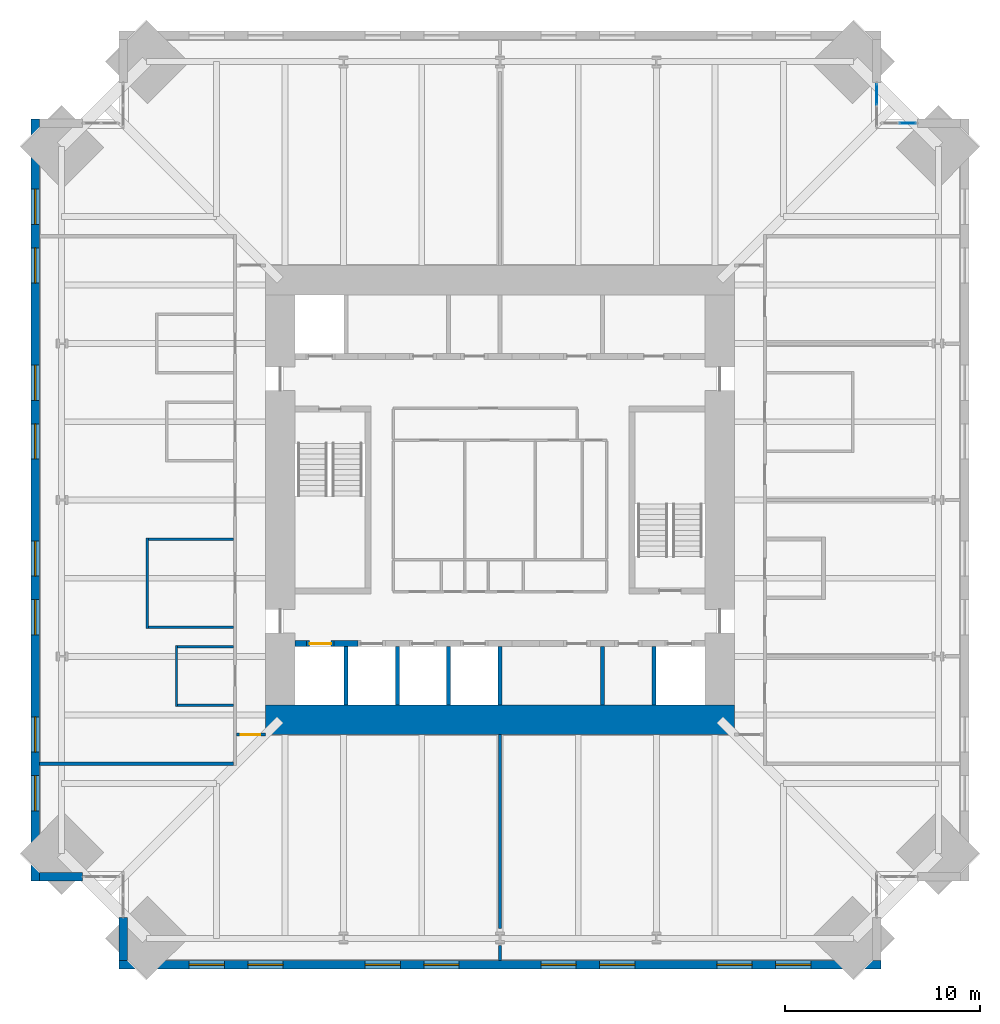
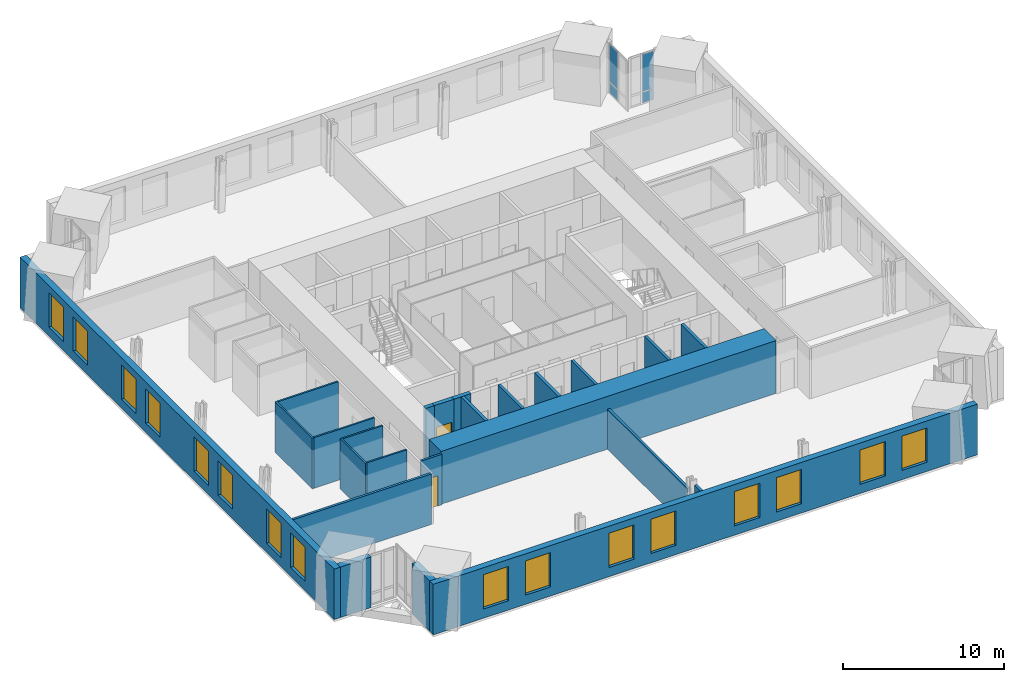
# One storey, part 10 of 15: 24 walls, 16 windows, 4 plates, 2 doors, 18 openings, 2 elements without a shape of their own.
"""IFC4 building model written with IfcOpenShell, lengths in metres."""

from ifc_helpers import new_model, si_unit, direction, frame, frame_2d, origin, origin_2d, place, context, subcontext, project, spatial, rectangle, extrude, material, layer, layer_set, type_object, element, fill, aggregate, save


model = new_model("IFC4")

# Units and contexts
model_context = context("Model", 3, precision=1e-05, world=origin(), true_north=direction((0.0, 1.0)))
body_context = subcontext(model_context, "Body", "Model", "MODEL_VIEW")
ifc_project = project(units=[si_unit("LENGTHUNIT", "METRE"), si_unit("AREAUNIT", "SQUARE_METRE"), si_unit("VOLUMEUNIT", "CUBIC_METRE"), si_unit("PLANEANGLEUNIT", "RADIAN"), si_unit("MASSUNIT", "GRAM", prefix="KILO")], contexts=[model_context])

# Site, building, storey
site_placement = place(None, origin())
site = spatial("IfcSite", under=ifc_project, at=site_placement, CompositionType="ELEMENT")
building_placement = place(site_placement, origin())
building = spatial("IfcBuilding", under=site, at=building_placement, Name="Peilmerk Tower", CompositionType="ELEMENT")
storey_placement = place(building_placement, frame((0.0, 0.0, 209.800048828125)))
storey = spatial("IfcBuildingStorey", under=building, at=storey_placement, Name="L45", CompositionType="ELEMENT", Elevation=209.800048828125)

# Curtain wall, plates
ifc_material_1 = material(Name="Aluminium stick curtain wall", Category="aluminium")
curtain_wall_type = type_object("IfcCurtainWallType", Name="CW4 stick curtain wall, 2250 module", PredefinedType="NOTDEFINED", material=ifc_material_1)
curtain_wall_1_placement = place(storey_placement, origin())
curtain_wall_1 = element("IfcCurtainWall", 1, at=curtain_wall_1_placement, inside=storey, type_object=curtain_wall_type, Name="Curtain wall CW4 NEA L45", PredefinedType="NOTDEFINED")
ifc_material_2 = material(Name="Clear insulated glazing unit", Category="glass")
ifc_layer_1 = layer(ifc_material_2, 0.028076171875)
ifc_layer_set_1 = layer_set([ifc_layer_1], Name="Clear insulated glazing unit")
plate_type = type_object("IfcPlateType", Name="CW4-P 28 glazed panel", PredefinedType="CURTAIN_PANEL", material=ifc_layer_set_1)
plate_1_placement = place(storey_placement, frame((19.27490234375, 20.750244140625, 0.06494140625), z_axis=(0.0, 0.0, 1.0), x_axis=(0.0, 1.0, 0.0)))
plate_1 = element("IfcPlate", 2, at=plate_1_placement, type_object=plate_type, Name="CW4 panel 2.1", PredefinedType="CURTAIN_PANEL", context=body_context, shape_type="SweptSolid", body=[
    extrude(rectangle(XDim=1.046875, YDim=0.028076171875, at=origin_2d()), origin(), (0.0, 0.0, 1.0), 0.802490234375),
])
plate_2_placement = place(storey_placement, frame((19.27490234375, 20.750244140625, 0.932373046875), z_axis=(0.0, 0.0, 1.0), x_axis=(0.0, 1.0, 0.0)))
plate_2 = element("IfcPlate", 3, at=plate_2_placement, type_object=plate_type, Name="CW4 panel 2.2", PredefinedType="CURTAIN_PANEL", context=body_context, shape_type="SweptSolid", body=[
    extrude(rectangle(XDim=1.046875, YDim=0.028076171875, at=origin_2d()), origin(), (0.0, 0.0, 1.0), 2.83251953125),
])
aggregate(curtain_wall_1, [plate_1, plate_2])

curtain_wall_2_placement = place(storey_placement, origin())
curtain_wall_2 = element("IfcCurtainWall", 4, at=curtain_wall_2_placement, inside=storey, type_object=curtain_wall_type, Name="Curtain wall CW4 NEB L45", PredefinedType="NOTDEFINED")
plate_3_placement = place(storey_placement, frame((20.86279296875, 19.27490234375, 0.06494140625), z_axis=(0.0, 0.0, 1.0), x_axis=(1.0, 0.0, 0.0)))
plate_3 = element("IfcPlate", 5, at=plate_3_placement, type_object=plate_type, Name="CW4 panel 2.1", PredefinedType="CURTAIN_PANEL", context=body_context, shape_type="SweptSolid", body=[
    extrude(rectangle(XDim=0.82177734375, YDim=0.028076171875, at=origin_2d()), origin(), (0.0, 0.0, 1.0), 0.802490234375),
])
plate_4_placement = place(storey_placement, frame((20.86279296875, 19.27490234375, 0.932373046875), z_axis=(0.0, 0.0, 1.0), x_axis=(1.0, 0.0, 0.0)))
plate_4 = element("IfcPlate", 6, at=plate_4_placement, type_object=plate_type, Name="CW4 panel 2.2", PredefinedType="CURTAIN_PANEL", context=body_context, shape_type="SweptSolid", body=[
    extrude(rectangle(XDim=0.82177734375, YDim=0.028076171875, at=origin_2d()), origin(), (0.0, 0.0, 1.0), 2.83251953125),
])
aggregate(curtain_wall_2, [plate_3, plate_4])

# Wall, openings, windows
ifc_material_3 = material(Name="Precast concrete C45/55, board-marked finish", Category="concrete")
ifc_layer_2 = layer(ifc_material_3, 0.449951171875)
ifc_layer_set_2 = layer_set([ifc_layer_2], Name="Precast concrete C45/55, board-marked finish")
wall_type_1 = type_object("IfcWallType", Name="EW1 450 precast concrete facade wall, board-marked", PredefinedType="SOLIDWALL", material=ifc_layer_set_2)
wall_1_placement = place(storey_placement, frame((-19.5, -23.77490234375, 0.0), z_axis=(0.0, 0.0, 1.0), x_axis=(1.0, 0.0, 0.0)))
wall_1 = element("IfcWall", 7, at=wall_1_placement, inside=storey, type_object=wall_type_1, Name="Facade wall S L45", PredefinedType="SOLIDWALL", context=body_context, shape_type="SweptSolid", body=[
    extrude(rectangle(XDim=39.0, YDim=0.449951171875, at=frame_2d((19.5, 0.0))), origin(), (0.0, 0.0, 1.0), 3.829833984375),
])
opening_1_placement = place(wall_1_placement, frame((3.60009765625, 0.0, 0.699951171875)))
opening_1 = element("IfcOpeningElement", 8, at=opening_1_placement, cuts=wall_1, Name="Opening W1", PredefinedType="OPENING", context=body_context, shape_type="SweptSolid", body=[
    extrude(rectangle(XDim=1.800048828125, YDim=2.60009765625, at=frame_2d((0.89990234375, 1.300048828125))), frame((0.0, 0.23486328125, 0.0), z_axis=(0.0, -1.0, 0.0), x_axis=(1.0, 0.0, 0.0)), (0.0, 0.0, 1.0), 0.469970703125),
])
opening_2_placement = place(wall_1_placement, frame((6.60009765625, 0.0, 0.699951171875)))
opening_2 = element("IfcOpeningElement", 9, at=opening_2_placement, cuts=wall_1, Name="Opening W1", PredefinedType="OPENING", context=body_context, shape_type="SweptSolid", body=[
    extrude(rectangle(XDim=1.800048828125, YDim=2.60009765625, at=frame_2d((0.89990234375, 1.300048828125))), frame((0.0, 0.23486328125, 0.0), z_axis=(0.0, -1.0, 0.0), x_axis=(1.0, 0.0, 0.0)), (0.0, 0.0, 1.0), 0.469970703125),
])
opening_3_placement = place(wall_1_placement, frame((12.60009765625, 0.0, 0.699951171875)))
opening_3 = element("IfcOpeningElement", 10, at=opening_3_placement, cuts=wall_1, Name="Opening W1", PredefinedType="OPENING", context=body_context, shape_type="SweptSolid", body=[
    extrude(rectangle(XDim=1.800048828125, YDim=2.60009765625, at=frame_2d((0.89990234375, 1.300048828125))), frame((0.0, 0.23486328125, 0.0), z_axis=(0.0, -1.0, 0.0), x_axis=(1.0, 0.0, 0.0)), (0.0, 0.0, 1.0), 0.469970703125),
])
opening_4_placement = place(wall_1_placement, frame((15.60009765625, 0.0, 0.699951171875)))
opening_4 = element("IfcOpeningElement", 11, at=opening_4_placement, cuts=wall_1, Name="Opening W1", PredefinedType="OPENING", context=body_context, shape_type="SweptSolid", body=[
    extrude(rectangle(XDim=1.800048828125, YDim=2.60009765625, at=frame_2d((0.89990234375, 1.300048828125))), frame((0.0, 0.23486328125, 0.0), z_axis=(0.0, -1.0, 0.0), x_axis=(1.0, 0.0, 0.0)), (0.0, 0.0, 1.0), 0.469970703125),
])
opening_5_placement = place(wall_1_placement, frame((21.60009765625, 0.0, 0.699951171875)))
opening_5 = element("IfcOpeningElement", 12, at=opening_5_placement, cuts=wall_1, Name="Opening W1", PredefinedType="OPENING", context=body_context, shape_type="SweptSolid", body=[
    extrude(rectangle(XDim=1.800048828125, YDim=2.60009765625, at=frame_2d((0.89990234375, 1.300048828125))), frame((0.0, 0.23486328125, 0.0), z_axis=(0.0, -1.0, 0.0), x_axis=(1.0, 0.0, 0.0)), (0.0, 0.0, 1.0), 0.469970703125),
])
opening_6_placement = place(wall_1_placement, frame((24.60009765625, 0.0, 0.699951171875)))
opening_6 = element("IfcOpeningElement", 13, at=opening_6_placement, cuts=wall_1, Name="Opening W1", PredefinedType="OPENING", context=body_context, shape_type="SweptSolid", body=[
    extrude(rectangle(XDim=1.800048828125, YDim=2.60009765625, at=frame_2d((0.89990234375, 1.300048828125))), frame((0.0, 0.23486328125, 0.0), z_axis=(0.0, -1.0, 0.0), x_axis=(1.0, 0.0, 0.0)), (0.0, 0.0, 1.0), 0.469970703125),
])
opening_7_placement = place(wall_1_placement, frame((30.60009765625, 0.0, 0.699951171875)))
opening_7 = element("IfcOpeningElement", 14, at=opening_7_placement, cuts=wall_1, Name="Opening W1", PredefinedType="OPENING", context=body_context, shape_type="SweptSolid", body=[
    extrude(rectangle(XDim=1.800048828125, YDim=2.60009765625, at=frame_2d((0.89990234375, 1.300048828125))), frame((0.0, 0.23486328125, 0.0), z_axis=(0.0, -1.0, 0.0), x_axis=(1.0, 0.0, 0.0)), (0.0, 0.0, 1.0), 0.469970703125),
])
opening_8_placement = place(wall_1_placement, frame((33.60009765625, 0.0, 0.699951171875)))
opening_8 = element("IfcOpeningElement", 15, at=opening_8_placement, cuts=wall_1, Name="Opening W1", PredefinedType="OPENING", context=body_context, shape_type="SweptSolid", body=[
    extrude(rectangle(XDim=1.800048828125, YDim=2.60009765625, at=frame_2d((0.89990234375, 1.300048828125))), frame((0.0, 0.23486328125, 0.0), z_axis=(0.0, -1.0, 0.0), x_axis=(1.0, 0.0, 0.0)), (0.0, 0.0, 1.0), 0.469970703125),
])
ifc_material_4 = material(Name="Aluminium frame, clear double glazing", Category="aluminium")
window_type = type_object("IfcWindowType", Name="W1 1800x2600 office window", PartitioningType="SINGLE_PANEL", PredefinedType="WINDOW", material=ifc_material_4)
window_1_placement = place(opening_1_placement, origin())
window_1 = element("IfcWindow", 16, at=window_1_placement, inside=storey, type_object=window_type, Name="Window W1 L45", OverallHeight=2.60009765625, OverallWidth=1.800048828125, PartitioningType="SINGLE_PANEL", PredefinedType="WINDOW", context=body_context, shape_type="SweptSolid", body=[
    extrude(rectangle(XDim=1.800048828125, YDim=2.60009765625, at=frame_2d((0.89990234375, 1.300048828125))), frame((0.0, 0.030029296875, 0.0), z_axis=(0.0, -1.0, 0.0), x_axis=(1.0, 0.0, 0.0)), (0.0, 0.0, 1.0), 0.06005859375),
])
fill(opening_1, window_1)
window_2_placement = place(opening_2_placement, origin())
window_2 = element("IfcWindow", 17, at=window_2_placement, inside=storey, type_object=window_type, Name="Window W1 L45", OverallHeight=2.60009765625, OverallWidth=1.800048828125, PartitioningType="SINGLE_PANEL", PredefinedType="WINDOW", context=body_context, shape_type="SweptSolid", body=[
    extrude(rectangle(XDim=1.800048828125, YDim=2.60009765625, at=frame_2d((0.89990234375, 1.300048828125))), frame((0.0, 0.030029296875, 0.0), z_axis=(0.0, -1.0, 0.0), x_axis=(1.0, 0.0, 0.0)), (0.0, 0.0, 1.0), 0.06005859375),
])
fill(opening_2, window_2)
window_3_placement = place(opening_3_placement, origin())
window_3 = element("IfcWindow", 18, at=window_3_placement, inside=storey, type_object=window_type, Name="Window W1 L45", OverallHeight=2.60009765625, OverallWidth=1.800048828125, PartitioningType="SINGLE_PANEL", PredefinedType="WINDOW", context=body_context, shape_type="SweptSolid", body=[
    extrude(rectangle(XDim=1.800048828125, YDim=2.60009765625, at=frame_2d((0.89990234375, 1.300048828125))), frame((0.0, 0.030029296875, 0.0), z_axis=(0.0, -1.0, 0.0), x_axis=(1.0, 0.0, 0.0)), (0.0, 0.0, 1.0), 0.06005859375),
])
fill(opening_3, window_3)
window_4_placement = place(opening_4_placement, origin())
window_4 = element("IfcWindow", 19, at=window_4_placement, inside=storey, type_object=window_type, Name="Window W1 L45", OverallHeight=2.60009765625, OverallWidth=1.800048828125, PartitioningType="SINGLE_PANEL", PredefinedType="WINDOW", context=body_context, shape_type="SweptSolid", body=[
    extrude(rectangle(XDim=1.800048828125, YDim=2.60009765625, at=frame_2d((0.89990234375, 1.300048828125))), frame((0.0, 0.030029296875, 0.0), z_axis=(0.0, -1.0, 0.0), x_axis=(1.0, 0.0, 0.0)), (0.0, 0.0, 1.0), 0.06005859375),
])
fill(opening_4, window_4)
window_5_placement = place(opening_5_placement, origin())
window_5 = element("IfcWindow", 20, at=window_5_placement, inside=storey, type_object=window_type, Name="Window W1 L45", OverallHeight=2.60009765625, OverallWidth=1.800048828125, PartitioningType="SINGLE_PANEL", PredefinedType="WINDOW", context=body_context, shape_type="SweptSolid", body=[
    extrude(rectangle(XDim=1.800048828125, YDim=2.60009765625, at=frame_2d((0.89990234375, 1.300048828125))), frame((0.0, 0.030029296875, 0.0), z_axis=(0.0, -1.0, 0.0), x_axis=(1.0, 0.0, 0.0)), (0.0, 0.0, 1.0), 0.06005859375),
])
fill(opening_5, window_5)
window_6_placement = place(opening_6_placement, origin())
window_6 = element("IfcWindow", 21, at=window_6_placement, inside=storey, type_object=window_type, Name="Window W1 L45", OverallHeight=2.60009765625, OverallWidth=1.800048828125, PartitioningType="SINGLE_PANEL", PredefinedType="WINDOW", context=body_context, shape_type="SweptSolid", body=[
    extrude(rectangle(XDim=1.800048828125, YDim=2.60009765625, at=frame_2d((0.89990234375, 1.300048828125))), frame((0.0, 0.030029296875, 0.0), z_axis=(0.0, -1.0, 0.0), x_axis=(1.0, 0.0, 0.0)), (0.0, 0.0, 1.0), 0.06005859375),
])
fill(opening_6, window_6)
window_7_placement = place(opening_7_placement, origin())
window_7 = element("IfcWindow", 22, at=window_7_placement, inside=storey, type_object=window_type, Name="Window W1 L45", OverallHeight=2.60009765625, OverallWidth=1.800048828125, PartitioningType="SINGLE_PANEL", PredefinedType="WINDOW", context=body_context, shape_type="SweptSolid", body=[
    extrude(rectangle(XDim=1.800048828125, YDim=2.60009765625, at=frame_2d((0.89990234375, 1.300048828125))), frame((0.0, 0.030029296875, 0.0), z_axis=(0.0, -1.0, 0.0), x_axis=(1.0, 0.0, 0.0)), (0.0, 0.0, 1.0), 0.06005859375),
])
fill(opening_7, window_7)
window_8_placement = place(opening_8_placement, origin())
window_8 = element("IfcWindow", 23, at=window_8_placement, inside=storey, type_object=window_type, Name="Window W1 L45", OverallHeight=2.60009765625, OverallWidth=1.800048828125, PartitioningType="SINGLE_PANEL", PredefinedType="WINDOW", context=body_context, shape_type="SweptSolid", body=[
    extrude(rectangle(XDim=1.800048828125, YDim=2.60009765625, at=frame_2d((0.89990234375, 1.300048828125))), frame((0.0, 0.030029296875, 0.0), z_axis=(0.0, -1.0, 0.0), x_axis=(1.0, 0.0, 0.0)), (0.0, 0.0, 1.0), 0.06005859375),
])
fill(opening_8, window_8)

wall_2_placement = place(storey_placement, frame((-23.77490234375, 19.5, 0.0), z_axis=(0.0, 0.0, 1.0), x_axis=(0.0, -1.0, 0.0)))
wall_2 = element("IfcWall", 24, at=wall_2_placement, inside=storey, type_object=wall_type_1, Name="Facade wall W L45", PredefinedType="SOLIDWALL", context=body_context, shape_type="SweptSolid", body=[
    extrude(rectangle(XDim=39.0, YDim=0.449951171875, at=frame_2d((19.5, 0.0))), origin(), (0.0, 0.0, 1.0), 3.829833984375),
])
opening_9_placement = place(wall_2_placement, frame((3.60009765625, 0.0, 0.699951171875)))
opening_9 = element("IfcOpeningElement", 25, at=opening_9_placement, cuts=wall_2, Name="Opening W1", PredefinedType="OPENING", context=body_context, shape_type="SweptSolid", body=[
    extrude(rectangle(XDim=1.800048828125, YDim=2.60009765625, at=frame_2d((0.89990234375, 1.300048828125))), frame((0.0, 0.23486328125, 0.0), z_axis=(0.0, -1.0, 0.0), x_axis=(1.0, 0.0, 0.0)), (0.0, 0.0, 1.0), 0.469970703125),
])
opening_10_placement = place(wall_2_placement, frame((6.60009765625, 0.0, 0.699951171875)))
opening_10 = element("IfcOpeningElement", 26, at=opening_10_placement, cuts=wall_2, Name="Opening W1", PredefinedType="OPENING", context=body_context, shape_type="SweptSolid", body=[
    extrude(rectangle(XDim=1.800048828125, YDim=2.60009765625, at=frame_2d((0.89990234375, 1.300048828125))), frame((0.0, 0.23486328125, 0.0), z_axis=(0.0, -1.0, 0.0), x_axis=(1.0, 0.0, 0.0)), (0.0, 0.0, 1.0), 0.469970703125),
])
opening_11_placement = place(wall_2_placement, frame((12.60009765625, 0.0, 0.699951171875)))
opening_11 = element("IfcOpeningElement", 27, at=opening_11_placement, cuts=wall_2, Name="Opening W1", PredefinedType="OPENING", context=body_context, shape_type="SweptSolid", body=[
    extrude(rectangle(XDim=1.800048828125, YDim=2.60009765625, at=frame_2d((0.89990234375, 1.300048828125))), frame((0.0, 0.23486328125, 0.0), z_axis=(0.0, -1.0, 0.0), x_axis=(1.0, 0.0, 0.0)), (0.0, 0.0, 1.0), 0.469970703125),
])
opening_12_placement = place(wall_2_placement, frame((15.60009765625, 0.0, 0.699951171875)))
opening_12 = element("IfcOpeningElement", 28, at=opening_12_placement, cuts=wall_2, Name="Opening W1", PredefinedType="OPENING", context=body_context, shape_type="SweptSolid", body=[
    extrude(rectangle(XDim=1.800048828125, YDim=2.60009765625, at=frame_2d((0.89990234375, 1.300048828125))), frame((0.0, 0.23486328125, 0.0), z_axis=(0.0, -1.0, 0.0), x_axis=(1.0, 0.0, 0.0)), (0.0, 0.0, 1.0), 0.469970703125),
])
opening_13_placement = place(wall_2_placement, frame((21.60009765625, 0.0, 0.699951171875)))
opening_13 = element("IfcOpeningElement", 29, at=opening_13_placement, cuts=wall_2, Name="Opening W1", PredefinedType="OPENING", context=body_context, shape_type="SweptSolid", body=[
    extrude(rectangle(XDim=1.800048828125, YDim=2.60009765625, at=frame_2d((0.89990234375, 1.300048828125))), frame((0.0, 0.23486328125, 0.0), z_axis=(0.0, -1.0, 0.0), x_axis=(1.0, 0.0, 0.0)), (0.0, 0.0, 1.0), 0.469970703125),
])
opening_14_placement = place(wall_2_placement, frame((24.60009765625, 0.0, 0.699951171875)))
opening_14 = element("IfcOpeningElement", 30, at=opening_14_placement, cuts=wall_2, Name="Opening W1", PredefinedType="OPENING", context=body_context, shape_type="SweptSolid", body=[
    extrude(rectangle(XDim=1.800048828125, YDim=2.60009765625, at=frame_2d((0.89990234375, 1.300048828125))), frame((0.0, 0.23486328125, 0.0), z_axis=(0.0, -1.0, 0.0), x_axis=(1.0, 0.0, 0.0)), (0.0, 0.0, 1.0), 0.469970703125),
])
opening_15_placement = place(wall_2_placement, frame((30.60009765625, 0.0, 0.699951171875)))
opening_15 = element("IfcOpeningElement", 31, at=opening_15_placement, cuts=wall_2, Name="Opening W1", PredefinedType="OPENING", context=body_context, shape_type="SweptSolid", body=[
    extrude(rectangle(XDim=1.800048828125, YDim=2.60009765625, at=frame_2d((0.89990234375, 1.300048828125))), frame((0.0, 0.23486328125, 0.0), z_axis=(0.0, -1.0, 0.0), x_axis=(1.0, 0.0, 0.0)), (0.0, 0.0, 1.0), 0.469970703125),
])
opening_16_placement = place(wall_2_placement, frame((33.60009765625, 0.0, 0.699951171875)))
opening_16 = element("IfcOpeningElement", 32, at=opening_16_placement, cuts=wall_2, Name="Opening W1", PredefinedType="OPENING", context=body_context, shape_type="SweptSolid", body=[
    extrude(rectangle(XDim=1.800048828125, YDim=2.60009765625, at=frame_2d((0.89990234375, 1.300048828125))), frame((0.0, 0.23486328125, 0.0), z_axis=(0.0, -1.0, 0.0), x_axis=(1.0, 0.0, 0.0)), (0.0, 0.0, 1.0), 0.469970703125),
])
window_9_placement = place(opening_9_placement, origin())
window_9 = element("IfcWindow", 33, at=window_9_placement, inside=storey, type_object=window_type, Name="Window W1 L45", OverallHeight=2.60009765625, OverallWidth=1.800048828125, PartitioningType="SINGLE_PANEL", PredefinedType="WINDOW", context=body_context, shape_type="SweptSolid", body=[
    extrude(rectangle(XDim=1.800048828125, YDim=2.60009765625, at=frame_2d((0.89990234375, 1.300048828125))), frame((0.0, 0.030029296875, 0.0), z_axis=(0.0, -1.0, 0.0), x_axis=(1.0, 0.0, 0.0)), (0.0, 0.0, 1.0), 0.06005859375),
])
fill(opening_9, window_9)
window_10_placement = place(opening_10_placement, origin())
window_10 = element("IfcWindow", 34, at=window_10_placement, inside=storey, type_object=window_type, Name="Window W1 L45", OverallHeight=2.60009765625, OverallWidth=1.800048828125, PartitioningType="SINGLE_PANEL", PredefinedType="WINDOW", context=body_context, shape_type="SweptSolid", body=[
    extrude(rectangle(XDim=1.800048828125, YDim=2.60009765625, at=frame_2d((0.89990234375, 1.300048828125))), frame((0.0, 0.030029296875, 0.0), z_axis=(0.0, -1.0, 0.0), x_axis=(1.0, 0.0, 0.0)), (0.0, 0.0, 1.0), 0.06005859375),
])
fill(opening_10, window_10)
window_11_placement = place(opening_11_placement, origin())
window_11 = element("IfcWindow", 35, at=window_11_placement, inside=storey, type_object=window_type, Name="Window W1 L45", OverallHeight=2.60009765625, OverallWidth=1.800048828125, PartitioningType="SINGLE_PANEL", PredefinedType="WINDOW", context=body_context, shape_type="SweptSolid", body=[
    extrude(rectangle(XDim=1.800048828125, YDim=2.60009765625, at=frame_2d((0.89990234375, 1.300048828125))), frame((0.0, 0.030029296875, 0.0), z_axis=(0.0, -1.0, 0.0), x_axis=(1.0, 0.0, 0.0)), (0.0, 0.0, 1.0), 0.06005859375),
])
fill(opening_11, window_11)
window_12_placement = place(opening_12_placement, origin())
window_12 = element("IfcWindow", 36, at=window_12_placement, inside=storey, type_object=window_type, Name="Window W1 L45", OverallHeight=2.60009765625, OverallWidth=1.800048828125, PartitioningType="SINGLE_PANEL", PredefinedType="WINDOW", context=body_context, shape_type="SweptSolid", body=[
    extrude(rectangle(XDim=1.800048828125, YDim=2.60009765625, at=frame_2d((0.89990234375, 1.300048828125))), frame((0.0, 0.030029296875, 0.0), z_axis=(0.0, -1.0, 0.0), x_axis=(1.0, 0.0, 0.0)), (0.0, 0.0, 1.0), 0.06005859375),
])
fill(opening_12, window_12)
window_13_placement = place(opening_13_placement, origin())
window_13 = element("IfcWindow", 37, at=window_13_placement, inside=storey, type_object=window_type, Name="Window W1 L45", OverallHeight=2.60009765625, OverallWidth=1.800048828125, PartitioningType="SINGLE_PANEL", PredefinedType="WINDOW", context=body_context, shape_type="SweptSolid", body=[
    extrude(rectangle(XDim=1.800048828125, YDim=2.60009765625, at=frame_2d((0.89990234375, 1.300048828125))), frame((0.0, 0.030029296875, 0.0), z_axis=(0.0, -1.0, 0.0), x_axis=(1.0, 0.0, 0.0)), (0.0, 0.0, 1.0), 0.06005859375),
])
fill(opening_13, window_13)
window_14_placement = place(opening_14_placement, origin())
window_14 = element("IfcWindow", 38, at=window_14_placement, inside=storey, type_object=window_type, Name="Window W1 L45", OverallHeight=2.60009765625, OverallWidth=1.800048828125, PartitioningType="SINGLE_PANEL", PredefinedType="WINDOW", context=body_context, shape_type="SweptSolid", body=[
    extrude(rectangle(XDim=1.800048828125, YDim=2.60009765625, at=frame_2d((0.89990234375, 1.300048828125))), frame((0.0, 0.030029296875, 0.0), z_axis=(0.0, -1.0, 0.0), x_axis=(1.0, 0.0, 0.0)), (0.0, 0.0, 1.0), 0.06005859375),
])
fill(opening_14, window_14)
window_15_placement = place(opening_15_placement, origin())
window_15 = element("IfcWindow", 39, at=window_15_placement, inside=storey, type_object=window_type, Name="Window W1 L45", OverallHeight=2.60009765625, OverallWidth=1.800048828125, PartitioningType="SINGLE_PANEL", PredefinedType="WINDOW", context=body_context, shape_type="SweptSolid", body=[
    extrude(rectangle(XDim=1.800048828125, YDim=2.60009765625, at=frame_2d((0.89990234375, 1.300048828125))), frame((0.0, 0.030029296875, 0.0), z_axis=(0.0, -1.0, 0.0), x_axis=(1.0, 0.0, 0.0)), (0.0, 0.0, 1.0), 0.06005859375),
])
fill(opening_15, window_15)
window_16_placement = place(opening_16_placement, origin())
window_16 = element("IfcWindow", 40, at=window_16_placement, inside=storey, type_object=window_type, Name="Window W1 L45", OverallHeight=2.60009765625, OverallWidth=1.800048828125, PartitioningType="SINGLE_PANEL", PredefinedType="WINDOW", context=body_context, shape_type="SweptSolid", body=[
    extrude(rectangle(XDim=1.800048828125, YDim=2.60009765625, at=frame_2d((0.89990234375, 1.300048828125))), frame((0.0, 0.030029296875, 0.0), z_axis=(0.0, -1.0, 0.0), x_axis=(1.0, 0.0, 0.0)), (0.0, 0.0, 1.0), 0.06005859375),
])
fill(opening_16, window_16)

# Walls
for number, where, z_axis, x_axis, name in (
    (41, (-19.27490234375, -21.353759765625, 0.0), (0.0, 0.0, 1.0), (0.0, -1.0, 0.0), "Facade wall SWA L45"),
    (42, (-21.353759765625, -19.27490234375, 0.0), (0.0, 0.0, 1.0), (-1.0, 0.0, 0.0), "Facade wall SWB L45"),
):
    element("IfcWall", number, at=place(storey_placement, frame(where, z_axis=z_axis, x_axis=x_axis)), inside=storey, type_object=wall_type_1, Name=name, PredefinedType="SOLIDWALL", context=body_context, shape_type="SweptSolid", body=[
        extrude(rectangle(XDim=2.1962890625, YDim=0.449951171875, at=frame_2d((1.09814453125, 0.0))), origin(), (0.0, 0.0, 1.0), 3.829833984375),
    ])

# Wall, opening, door
ifc_material_5 = material(Name="Calcium silicate block", Category="masonry")
ifc_layer_3 = layer(ifc_material_5, 0.14990234375)
ifc_layer_set_3 = layer_set([ifc_layer_3], Name="Calcium silicate block")
wall_type_2 = type_object("IfcWallType", Name="IW1 150 corridor partition, EI 60", PredefinedType="PARTITIONING", material=ifc_layer_set_3)
wall_3_placement = place(storey_placement, frame((-12.0, -12.0, 0.0), z_axis=(0.0, 0.0, 1.0), x_axis=(-1.0, 0.0, 0.0)))
wall_3 = element("IfcWall", 43, at=wall_3_placement, inside=storey, type_object=wall_type_2, Name="Corridor wall SW L45", PredefinedType="PARTITIONING", context=body_context, shape_type="SweptSolid", body=[
    extrude(rectangle(XDim=1.47509765625, YDim=0.14990234375, at=frame_2d((0.737548828125, 0.0))), origin(), (0.0, 0.0, 1.0), 3.829833984375),
])
opening_17_placement = place(wall_3_placement, frame((0.27490234375, 0.0, 0.0)))
opening_17 = element("IfcOpeningElement", 44, at=opening_17_placement, cuts=wall_3, Name="Opening D1", PredefinedType="OPENING", context=body_context, shape_type="SweptSolid", body=[
    extrude(rectangle(XDim=1.0, YDim=2.300048828125, at=frame_2d((0.5, 1.14990234375))), frame((0.0, 0.0849609375, 0.0), z_axis=(0.0, -1.0, 0.0), x_axis=(1.0, 0.0, 0.0)), (0.0, 0.0, 1.0), 0.169921875),
])
ifc_material_6 = material(Name="Timber door in steel frame", Category="steel")
door_type_1 = type_object("IfcDoorType", Name="D1 1000x2300 room door, EI2 30", OperationType="SINGLE_SWING_LEFT", PredefinedType="DOOR", material=ifc_material_6)
door_1_placement = place(opening_17_placement, origin())
door_1 = element("IfcDoor", 45, at=door_1_placement, inside=storey, type_object=door_type_1, Name="Door Office L45", OperationType="SINGLE_SWING_LEFT", OverallHeight=2.300048828125, OverallWidth=1.0, PredefinedType="DOOR", context=body_context, shape_type="SweptSolid", body=[
    extrude(rectangle(XDim=1.0, YDim=2.300048828125, at=frame_2d((0.5, 1.14990234375))), frame((0.0, 0.02490234375, 0.0), z_axis=(0.0, -1.0, 0.0), x_axis=(1.0, 0.0, 0.0)), (0.0, 0.0, 1.0), 0.050048828125),
])
fill(opening_17, door_1)

# Walls
ifc_material_7 = material(Name="Plasterboard on steel studs, double boarded with mineral wool", Category="steel")
ifc_layer_4 = layer(ifc_material_7, 0.125)
ifc_layer_set_4 = layer_set([ifc_layer_4], Name="Plasterboard on steel studs, double boarded with mineral wool")
wall_type_3 = type_object("IfcWallType", Name="IW7 125 acoustic partition, EI 30", PredefinedType="PARTITIONING", material=ifc_layer_set_4)
wall_4_placement = place(storey_placement, frame((-18.050048828125, -6.5625, 0.0), z_axis=(0.0, 0.0, 1.0), x_axis=(0.0, 1.0, 0.0)))
element("IfcWall", 46, at=wall_4_placement, inside=storey, type_object=wall_type_3, Name="Acoustic partition Meeting room L45", PredefinedType="PARTITIONING", context=body_context, shape_type="SweptSolid", body=[
    extrude(rectangle(XDim=4.625, YDim=0.125, at=frame_2d((2.3125, 0.0))), origin(), (0.0, 0.0, 1.0), 3.829833984375),
])
for number, where, z_axis, x_axis, name in (
    (47, (-13.625, -6.5, 0.0), (0.0, 0.0, 1.0), (-1.0, 0.0, 0.0), "Acoustic partition Meeting room L45"),
    (48, (-13.625, -2.0, 0.0), (0.0, 0.0, 1.0), (-1.0, 0.0, 0.0), "Acoustic partition Meeting room L45"),
):
    element("IfcWall", number, at=place(storey_placement, frame(where, z_axis=z_axis, x_axis=x_axis)), inside=storey, type_object=wall_type_3, Name=name, PredefinedType="PARTITIONING", context=body_context, shape_type="SweptSolid", body=[
        extrude(rectangle(XDim=4.362548828125, YDim=0.125, at=frame_2d((2.18115234375, 0.0))), origin(), (0.0, 0.0, 1.0), 3.829833984375),
    ])
wall_5_placement = place(storey_placement, frame((-16.550048828125, -10.5625, 0.0), z_axis=(0.0, 0.0, 1.0), x_axis=(0.0, 1.0, 0.0)))
element("IfcWall", 49, at=wall_5_placement, inside=storey, type_object=wall_type_3, Name="Acoustic partition Quiet room L45", PredefinedType="PARTITIONING", context=body_context, shape_type="SweptSolid", body=[
    extrude(rectangle(XDim=3.125, YDim=0.125, at=frame_2d((1.5625, 0.0))), origin(), (0.0, 0.0, 1.0), 3.829833984375),
])
for number, where, z_axis, x_axis, name in (
    (50, (-13.625, -10.5, 0.0), (0.0, 0.0, 1.0), (-1.0, 0.0, 0.0), "Acoustic partition Quiet room L45"),
    (51, (-13.625, -7.5, 0.0), (0.0, 0.0, 1.0), (-1.0, 0.0, 0.0), "Acoustic partition Quiet room L45"),
):
    element("IfcWall", number, at=place(storey_placement, frame(where, z_axis=z_axis, x_axis=x_axis)), inside=storey, type_object=wall_type_3, Name=name, PredefinedType="PARTITIONING", context=body_context, shape_type="SweptSolid", body=[
        extrude(rectangle(XDim=2.862548828125, YDim=0.125, at=frame_2d((1.43115234375, 0.0))), origin(), (0.0, 0.0, 1.0), 3.829833984375),
    ])
ifc_layer_5 = layer(ifc_material_5, 0.175048828125)
ifc_layer_set_5 = layer_set([ifc_layer_5], Name="Calcium silicate block")
wall_type_4 = type_object("IfcWallType", Name="IW8 175 tenant separating wall, EI 60", PredefinedType="PARTITIONING", material=ifc_layer_set_5)
wall_6_placement = place(storey_placement, frame((-13.625, -13.5, 0.0), z_axis=(0.0, 0.0, 1.0), x_axis=(-1.0, 0.0, 0.0)))
element("IfcWall", 52, at=wall_6_placement, inside=storey, type_object=wall_type_4, Name="Tenant separating wall SW L45", PredefinedType="PARTITIONING", context=body_context, shape_type="SweptSolid", body=[
    extrude(rectangle(XDim=9.925048828125, YDim=0.175048828125, at=frame_2d((4.96240234375, 0.0))), origin(), (0.0, 0.0, 1.0), 3.829833984375),
])
wall_7_placement = place(storey_placement, frame((0.0, -12.0, 0.0), z_axis=(0.0, 0.0, 1.0), x_axis=(0.0, -1.0, 0.0)))
element("IfcWall", 53, at=wall_7_placement, inside=storey, type_object=wall_type_4, Name="Tenant separating wall S1 L45", PredefinedType="PARTITIONING", context=body_context, shape_type="SweptSolid", body=[
    extrude(rectangle(XDim=9.911865234375, YDim=0.175048828125, at=frame_2d((4.9560546875, 0.0))), origin(), (0.0, 0.0, 1.0), 3.0400390625),
])
wall_8_placement = place(storey_placement, frame((0.0, -22.801025390625, 0.0), z_axis=(0.0, 0.0, 1.0), x_axis=(0.0, -1.0, 0.0)))
element("IfcWall", 54, at=wall_8_placement, inside=storey, type_object=wall_type_4, Name="Tenant separating wall S1b L45", PredefinedType="PARTITIONING", context=body_context, shape_type="SweptSolid", body=[
    extrude(rectangle(XDim=0.7490234375, YDim=0.175048828125, at=frame_2d((0.37451171875, 0.0))), origin(), (0.0, 0.0, 1.0), 3.829833984375),
])
ifc_layer_6 = layer(ifc_material_5, 0.199951171875)
ifc_layer_set_6 = layer_set([ifc_layer_6], Name="Calcium silicate block")
wall_type_5 = type_object("IfcWallType", Name="SH1 200 shaft dividing wall, EI 120", PredefinedType="PARTITIONING", material=ifc_layer_set_6)
for number, where, z_axis, x_axis, name in (
    (55, (-7.875, -10.5, 0.0), (0.0, 0.0, 1.0), (0.0, 1.0, 0.0), "Shaft wall S C4 L45"),
    (56, (-5.25, -10.5, 0.0), (0.0, 0.0, 1.0), (0.0, 1.0, 0.0), "Shaft wall S C3 L45"),
    (57, (-2.625, -10.5, 0.0), (0.0, 0.0, 1.0), (0.0, 1.0, 0.0), "Shaft wall S C2 L45"),
    (58, (0.0, -10.5, 0.0), (0.0, 0.0, 1.0), (0.0, 1.0, 0.0), "Shaft wall S C1 L45"),
    (59, (5.25, -10.5, 0.0), (0.0, 0.0, 1.0), (0.0, 1.0, 0.0), "Shaft wall S B2 L45"),
    (60, (7.875, -10.5, 0.0), (0.0, 0.0, 1.0), (0.0, 1.0, 0.0), "Shaft wall S B1 L45"),
):
    element("IfcWall", number, at=place(storey_placement, frame(where, z_axis=z_axis, x_axis=x_axis)), inside=storey, type_object=wall_type_5, Name=name, PredefinedType="PARTITIONING", context=body_context, shape_type="SweptSolid", body=[
        extrude(rectangle(XDim=3.0, YDim=0.199951171875, at=frame_2d((1.5, 0.0))), origin(), (0.0, 0.0, 1.0), 4.0),
    ])

# Wall, opening, door
ifc_layer_7 = layer(ifc_material_5, 0.300048828125)
ifc_layer_set_7 = layer_set([ifc_layer_7], Name="Calcium silicate block")
wall_type_6 = type_object("IfcWallType", Name="SH2 300 lift landing door panel, EI 120", PredefinedType="PARTITIONING", material=ifc_layer_set_7)
wall_9_placement = place(storey_placement, frame((-9.887451171875, -7.35009765625, 0.0), z_axis=(0.0, 0.0, 1.0), x_axis=(1.0, 0.0, 0.0)))
wall_9 = element("IfcWall", 61, at=wall_9_placement, inside=storey, type_object=wall_type_6, Name="Lift door panel S C4 L45", PredefinedType="PARTITIONING", context=body_context, shape_type="SweptSolid", body=[
    extrude(rectangle(XDim=1.39990234375, YDim=0.300048828125, at=frame_2d((0.699951171875, 0.0))), origin(), (0.0, 0.0, 1.0), 4.0),
])
opening_18_placement = place(wall_9_placement, frame((0.14990234375, 0.0, 0.0)))
opening_18 = element("IfcOpeningElement", 62, at=opening_18_placement, cuts=wall_9, Name="Opening LD1", PredefinedType="OPENING", context=body_context, shape_type="SweptSolid", body=[
    extrude(rectangle(XDim=1.10009765625, YDim=2.300048828125, at=frame_2d((0.550048828125, 1.14990234375))), frame((0.0, 0.159912109375, 0.0), z_axis=(0.0, -1.0, 0.0), x_axis=(1.0, 0.0, 0.0)), (0.0, 0.0, 1.0), 0.320068359375),
])
ifc_material_8 = material(Name="Stainless steel landing door", Category="steel")
door_type_2 = type_object("IfcDoorType", Name="LD1 1100x2300 lift landing door, sliding, EI2 60", OperationType="SLIDING_TO_LEFT", PredefinedType="DOOR", material=ifc_material_8)
door_2_placement = place(opening_18_placement, origin())
door_2 = element("IfcDoor", 63, at=door_2_placement, inside=storey, type_object=door_type_2, Name="Lift landing door C4 L45", OperationType="SLIDING_TO_LEFT", OverallHeight=2.300048828125, OverallWidth=1.10009765625, PredefinedType="DOOR", context=body_context, shape_type="SweptSolid", body=[
    extrude(rectangle(XDim=1.10009765625, YDim=2.300048828125, at=frame_2d((0.550048828125, 1.14990234375))), frame((0.0, 0.02490234375, 0.0), z_axis=(0.0, -1.0, 0.0), x_axis=(1.0, 0.0, 0.0)), (0.0, 0.0, 1.0), 0.050048828125),
])
fill(opening_18, door_2)

# Walls
ifc_material_9 = material(Name="Concrete C55/67", Category="concrete")
ifc_layer_8 = layer(ifc_material_9, 1.5)
ifc_layer_set_8 = layer_set([ifc_layer_8], Name="Concrete C55/67")
wall_type_7 = type_object("IfcWallType", Name="SW1 1500 core wall", PredefinedType="SHEAR", material=ifc_layer_set_8)
wall_10_placement = place(storey_placement, frame((12.0, -11.25, 0.0), z_axis=(0.0, 0.0, 1.0), x_axis=(-1.0, 0.0, 0.0)))
element("IfcWall", 64, at=wall_10_placement, inside=storey, type_object=wall_type_7, Name="Core wall S L45", PredefinedType="SHEAR", context=body_context, shape_type="SweptSolid", body=[
    extrude(rectangle(XDim=24.0, YDim=1.5, at=frame_2d((12.0, 0.0))), origin(), (0.0, 0.0, 1.0), 4.0),
])
ifc_layer_9 = layer(ifc_material_9, 0.300048828125)
ifc_layer_set_9 = layer_set([ifc_layer_9], Name="Concrete C55/67")
wall_type_8 = type_object("IfcWallType", Name="SW2 300 lift bank pier", PredefinedType="SHEAR", material=ifc_layer_set_9)
wall_11_placement = place(storey_placement, frame((-10.5, -7.35009765625, 0.0), z_axis=(0.0, 0.0, 1.0), x_axis=(1.0, 0.0, 0.0)))
element("IfcWall", 65, at=wall_11_placement, inside=storey, type_object=wall_type_8, Name="Lift bank pier S L45", PredefinedType="SHEAR", context=body_context, shape_type="SweptSolid", body=[
    extrude(rectangle(XDim=0.612548828125, YDim=0.300048828125, at=frame_2d((0.30615234375, 0.0))), origin(), (0.0, 0.0, 1.0), 4.0),
])
wall_12_placement = place(storey_placement, frame((-8.487548828125, -7.35009765625, 0.0), z_axis=(0.0, 0.0, 1.0), x_axis=(1.0, 0.0, 0.0)))
element("IfcWall", 66, at=wall_12_placement, inside=storey, type_object=wall_type_8, Name="Lift bank pier S L45", PredefinedType="SHEAR", context=body_context, shape_type="SweptSolid", body=[
    extrude(rectangle(XDim=1.22509765625, YDim=0.300048828125, at=frame_2d((0.612548828125, 0.0))), origin(), (0.0, 0.0, 1.0), 4.0),
])

save(model, "model.ifc")
